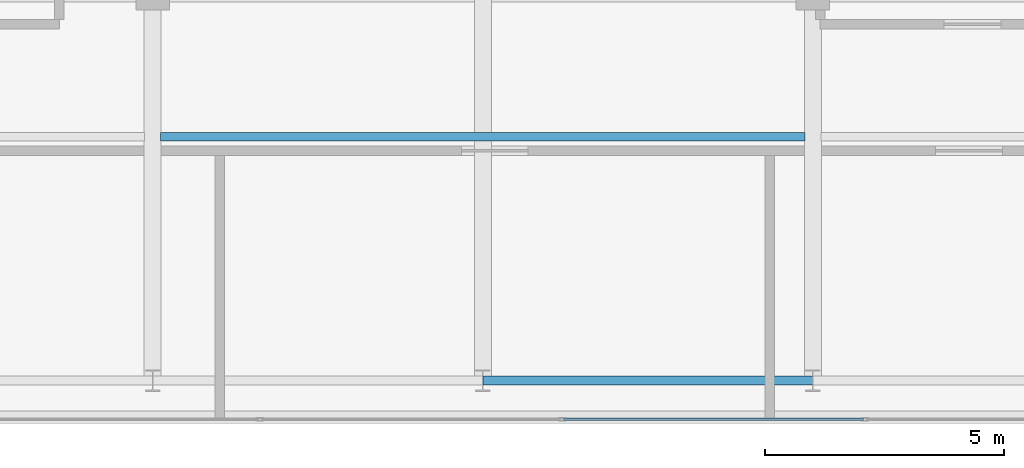
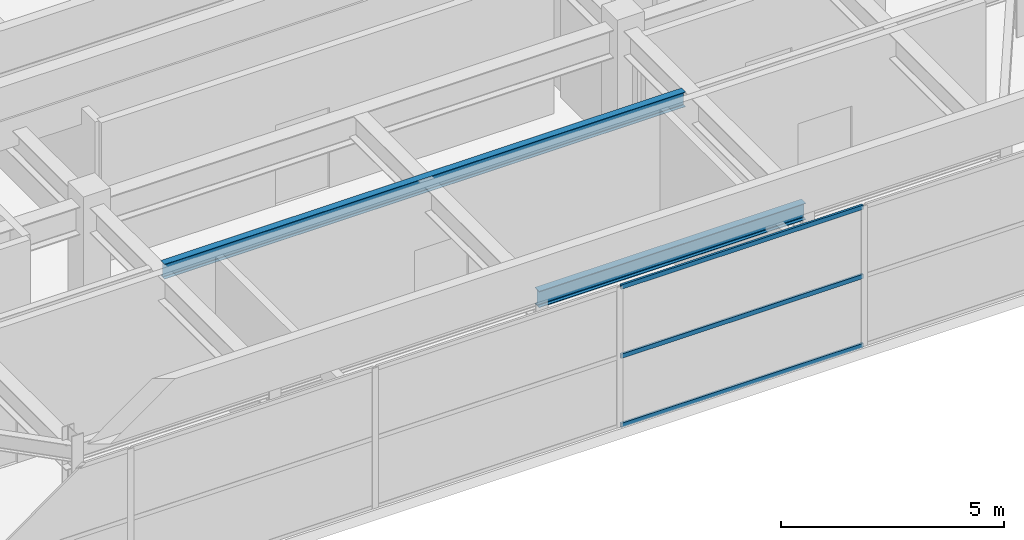
# One storey, part 8 of 33: 3 members, 2 beams, 1 element without a shape of its own.
"""IFC4 building model written with IfcOpenShell, lengths in metres."""

from ifc_helpers import new_model, si_unit, direction, frame, origin, origin_2d, place, context, subcontext, project, spatial, hollow_rectangle, i_section, extrude, source, transform, mapped, material, layer, layer_set, material_profile, profile_set, type_object, element, aggregate, save


model = new_model("IFC4")

# Units and contexts
model_context = context("Model", 3, precision=1e-05, world=origin(), true_north=direction((0.0, 1.0)))
body_context = subcontext(model_context, "Body", "Model", "MODEL_VIEW")
ifc_project = project(units=[si_unit("LENGTHUNIT", "METRE"), si_unit("AREAUNIT", "SQUARE_METRE"), si_unit("VOLUMEUNIT", "CUBIC_METRE"), si_unit("PLANEANGLEUNIT", "RADIAN"), si_unit("MASSUNIT", "GRAM", prefix="KILO")], contexts=[model_context])

# Site, building, storey
site_placement = place(None, origin())
site = spatial("IfcSite", under=ifc_project, at=site_placement, CompositionType="ELEMENT")
building_placement = place(site_placement, origin())
building = spatial("IfcBuilding", under=site, at=building_placement, Name="Khoralis Quay Care Tower", CompositionType="ELEMENT")
storey_placement = place(building_placement, frame((0.0, 0.0, 314.699951171875)))
storey = spatial("IfcBuildingStorey", under=building, at=storey_placement, Name="L82", CompositionType="ELEMENT", Elevation=314.699951171875)

# Beams
ifc_material_1 = material(Name="Steel S355", Category="steel")
ifc_material_profile_1 = material_profile(ifc_material_1, i_section(OverallWidth=0.18994140625, OverallDepth=0.449951171875, WebThickness=0.009521484375, FlangeThickness=0.0146484375, FilletRadius=0.02099609375, at=origin_2d()), Name="Steel S355")
ifc_profile_set_1 = profile_set([ifc_material_profile_1], Name="Steel S355")
beam_type_1 = type_object("IfcBeamType", Name="BM-IPE450", PredefinedType="SPANDREL", material=ifc_profile_set_1)
shared_shape_1 = source(origin(), body_context, "Body", "SweptSolid", [
    extrude(i_section(OverallWidth=0.18994140625, OverallDepth=0.449951171875, WebThickness=0.009521484375, FlangeThickness=0.0146484375, FilletRadius=0.02099609375, at=origin_2d()), origin(), (0.0, 0.0, 1.0), 6.89990234375),
])
beam_1_placement = place(storey_placement, frame((24.0, 3.89990234375, 3.614990234375), z_axis=(1.0, 0.0, 0.0), x_axis=(0.0, 1.0, 0.0)))
element("IfcBeam", 1, at=beam_1_placement, inside=storey, type_object=beam_type_1, Name="BM-TSP-L82-03", PredefinedType="SPANDREL", context=body_context, shape_type="MappedRepresentation", body=[
    mapped(shared_shape_1, transform((0.0, 0.0, 0.0), scale=1.0)),
])
ifc_material_profile_2 = material_profile(ifc_material_1, i_section(OverallWidth=0.177978515625, OverallDepth=0.406982421875, WebThickness=0.0078125, FlangeThickness=0.0126953125, FilletRadius=0.012939453125, at=origin_2d()), Name="Steel S355")
ifc_profile_set_2 = profile_set([ifc_material_profile_2], Name="Steel S355")
beam_type_2 = type_object("IfcBeamType", Name="BM-W410X60", PredefinedType="JOIST", material=ifc_profile_set_2)
shared_shape_2 = source(origin(), body_context, "Body", "SweptSolid", [
    extrude(i_section(OverallWidth=0.177978515625, OverallDepth=0.406982421875, WebThickness=0.0078125, FlangeThickness=0.0126953125, FilletRadius=0.012939453125, at=origin_2d()), origin(), (0.0, 0.0, 1.0), 13.46923828125),
])
beam_2_placement = place(storey_placement, frame((17.265380859375, 9.0, 3.636474609375), z_axis=(1.0, 0.0, 0.0), x_axis=(0.0, 1.0, 0.0)))
element("IfcBeam", 2, at=beam_2_placement, inside=storey, type_object=beam_type_2, Name="BM-TJS-L82-23", PredefinedType="JOIST", context=body_context, shape_type="MappedRepresentation", body=[
    mapped(shared_shape_2, transform((0.0, 0.0, 0.0), scale=1.0)),
])

# Curtain wall, members
ifc_material_2 = material(Name="Pale anodised aluminium", Category="aluminium")
ifc_layer = layer(ifc_material_2, 0.199951171875)
ifc_layer_set = layer_set([ifc_layer], Name="Pale anodised aluminium")
curtain_wall_type = type_object("IfcCurtainWallType", Name="CW-SYS-LANTERN", PredefinedType="NOTDEFINED", material=ifc_layer_set)
curtain_wall_placement = place(storey_placement, origin())
curtain_wall = element("IfcCurtainWall", 3, at=curtain_wall_placement, inside=storey, type_object=curtain_wall_type, Name="L82 Unitised Curtain Wall CW-LN-L82-01", PredefinedType="NOTDEFINED")
ifc_material_profile_3 = material_profile(ifc_material_2, hollow_rectangle(XDim=0.054931640625, YDim=0.1201171875, WallThickness=0.00390625, at=origin_2d()), Name="Pale anodised aluminium")
ifc_profile_set_3 = profile_set([ifc_material_profile_3], Name="Pale anodised aluminium")
member_type = type_object("IfcMemberType", Name="CW-TRN-120", PredefinedType="USERDEFINED", material=ifc_profile_set_3)
shared_shape_3 = source(origin(), body_context, "Body", "SweptSolid", [
    extrude(hollow_rectangle(XDim=0.054931640625, YDim=0.1201171875, WallThickness=0.00390625, at=origin_2d()), origin(), (0.0, 0.0, 1.0), 6.26416015625),
])
member_1_placement = place(storey_placement, frame((25.69189453125, 3.090087890625, 0.030029296875), z_axis=(1.0, 0.0, 0.0), x_axis=(0.0, 1.0, 0.0)))
member_1 = element("IfcMember", 4, at=member_1_placement, type_object=member_type, Name="CW5 transom 4.1", ObjectType="TRANSOM", PredefinedType="USERDEFINED", context=body_context, shape_type="MappedRepresentation", body=[
    mapped(shared_shape_3, transform((0.0, 0.0, 0.0), scale=1.0)),
])
member_2_placement = place(storey_placement, frame((25.69189453125, 3.090087890625, 1.920166015625), z_axis=(1.0, 0.0, 0.0), x_axis=(0.0, 1.0, 0.0)))
member_2 = element("IfcMember", 5, at=member_2_placement, type_object=member_type, Name="CW5 transom 4.2", ObjectType="TRANSOM", PredefinedType="USERDEFINED", context=body_context, shape_type="MappedRepresentation", body=[
    mapped(shared_shape_3, transform((0.0, 0.0, 0.0), scale=1.0)),
])
member_3_placement = place(storey_placement, frame((25.69189453125, 3.090087890625, 3.81005859375), z_axis=(1.0, 0.0, 0.0), x_axis=(0.0, 1.0, 0.0)))
member_3 = element("IfcMember", 6, at=member_3_placement, type_object=member_type, Name="CW5 transom 4.3", ObjectType="TRANSOM", PredefinedType="USERDEFINED", context=body_context, shape_type="MappedRepresentation", body=[
    mapped(shared_shape_3, transform((0.0, 0.0, 0.0), scale=1.0)),
])
aggregate(curtain_wall, [member_1, member_2, member_3])

save(model, "model.ifc")
